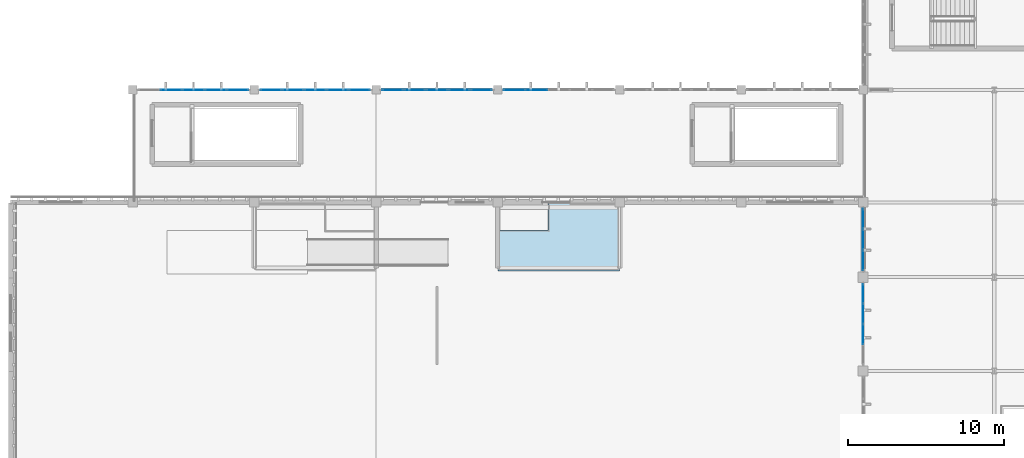
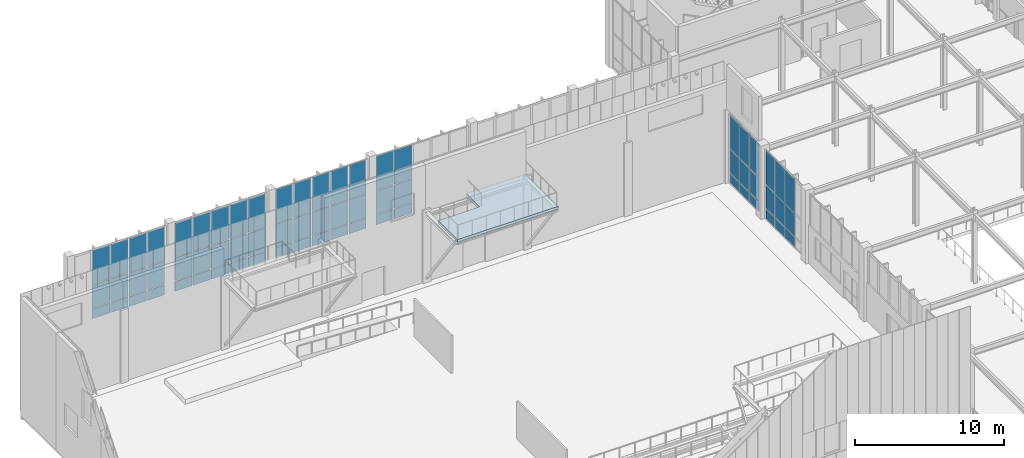
# One storey, part 60 of 105: 66 plates, 1 slab, 6 elements without a shape of their own.
"""IFC4 building model written with IfcOpenShell, lengths in metres."""

from ifc_helpers import new_model, si_unit, direction, frame, origin, origin_2d, place, context, subcontext, project, spatial, polyline, rectangle, outline, extrude, material, layer, layer_set, type_object, element, aggregate, save


model = new_model("IFC4")

# Units and contexts
model_context = context("Model", 3, precision=1e-05, world=origin(), true_north=direction((0.0, 1.0)))
body_context = subcontext(model_context, "Body", "Model", "MODEL_VIEW")
ifc_project = project(units=[si_unit("LENGTHUNIT", "METRE"), si_unit("AREAUNIT", "SQUARE_METRE"), si_unit("VOLUMEUNIT", "CUBIC_METRE"), si_unit("PLANEANGLEUNIT", "RADIAN"), si_unit("MASSUNIT", "GRAM", prefix="KILO")], contexts=[model_context])

# Site, building, storey
site_placement = place(None, origin())
site = spatial("IfcSite", under=ifc_project, at=site_placement, CompositionType="ELEMENT")
building_placement = place(site_placement, origin())
building = spatial("IfcBuilding", under=site, at=building_placement, Name="Tizgana Railside Sports Hall", CompositionType="ELEMENT")
storey_placement = place(building_placement, frame((0.0, 0.0, 6.0)))
storey = spatial("IfcBuildingStorey", under=building, at=storey_placement, Name="L01", CompositionType="ELEMENT", Elevation=6.0)

# Curtain wall, plates
ifc_material_1 = material(Name="Anodised aluminium and glass", Category="aluminium")
curtain_wall_type_1 = type_object("IfcCurtainWallType", Name="Unitised Curtain Wall Foyer 1300", PredefinedType="NOTDEFINED", material=ifc_material_1)
curtain_wall_1_placement = place(storey_placement, origin())
curtain_wall_1 = element("IfcCurtainWall", 1, at=curtain_wall_1_placement, inside=storey, type_object=curtain_wall_type_1, Name="L01 Curtain Wall CW-0009", PredefinedType="NOTDEFINED")
ifc_material_2 = material(Name="Double low-E laminated glass", Category="glass")
ifc_layer_1 = layer(ifc_material_2, 0.033935546875, Name="Double low-E laminated glass")
ifc_layer_set_1 = layer_set([ifc_layer_1], Name="Double low-E laminated glass")
plate_type_1 = type_object("IfcPlateType", Name="Acoustic Laminated Glazing Panel 34", PredefinedType="CURTAIN_PANEL", material=ifc_layer_set_1)
plate_1_placement = place(storey_placement, frame((10.27197265625, 80.39990234375, 0.06494140625), z_axis=(0.0, 0.0, 1.0), x_axis=(1.0, 0.0, 0.0)))
plate_1 = element("IfcPlate", 2, at=plate_1_placement, type_object=plate_type_1, Name="CW-02 panel 2.1", PredefinedType="CURTAIN_PANEL", context=body_context, shape_type="SweptSolid", body=[
    extrude(rectangle(XDim=1.363037109375, YDim=0.033935546875, at=origin_2d()), origin(), (0.0, 0.0, 1.0), 0.802490234375),
])
plate_2_placement = place(storey_placement, frame((10.27197265625, 80.39990234375, 0.9326171875), z_axis=(0.0, 0.0, 1.0), x_axis=(1.0, 0.0, 0.0)))
plate_2 = element("IfcPlate", 3, at=plate_2_placement, type_object=plate_type_1, Name="CW-02 panel 2.2", PredefinedType="CURTAIN_PANEL", context=body_context, shape_type="SweptSolid", body=[
    extrude(rectangle(XDim=1.363037109375, YDim=0.033935546875, at=origin_2d()), origin(), (0.0, 0.0, 1.0), 1.885009765625),
])
plate_3_placement = place(storey_placement, frame((10.27197265625, 80.39990234375, 2.882568359375), z_axis=(0.0, 0.0, 1.0), x_axis=(1.0, 0.0, 0.0)))
plate_3 = element("IfcPlate", 4, at=plate_3_placement, type_object=plate_type_1, Name="CW-02 panel 2.3", PredefinedType="CURTAIN_PANEL", context=body_context, shape_type="SweptSolid", body=[
    extrude(rectangle(XDim=1.363037109375, YDim=0.033935546875, at=origin_2d()), origin(), (0.0, 0.0, 1.0), 2.75244140625),
])
plate_4_placement = place(storey_placement, frame((11.699951171875, 80.39990234375, 0.06494140625), z_axis=(0.0, 0.0, 1.0), x_axis=(1.0, 0.0, 0.0)))
plate_4 = element("IfcPlate", 5, at=plate_4_placement, type_object=plate_type_1, Name="CW-02 panel 3.1", PredefinedType="CURTAIN_PANEL", context=body_context, shape_type="SweptSolid", body=[
    extrude(rectangle(XDim=1.363037109375, YDim=0.033935546875, at=origin_2d()), origin(), (0.0, 0.0, 1.0), 0.802490234375),
])
plate_5_placement = place(storey_placement, frame((11.699951171875, 80.39990234375, 0.9326171875), z_axis=(0.0, 0.0, 1.0), x_axis=(1.0, 0.0, 0.0)))
plate_5 = element("IfcPlate", 6, at=plate_5_placement, type_object=plate_type_1, Name="CW-02 panel 3.2", PredefinedType="CURTAIN_PANEL", context=body_context, shape_type="SweptSolid", body=[
    extrude(rectangle(XDim=1.363037109375, YDim=0.033935546875, at=origin_2d()), origin(), (0.0, 0.0, 1.0), 1.885009765625),
])
plate_6_placement = place(storey_placement, frame((11.699951171875, 80.39990234375, 2.882568359375), z_axis=(0.0, 0.0, 1.0), x_axis=(1.0, 0.0, 0.0)))
plate_6 = element("IfcPlate", 7, at=plate_6_placement, type_object=plate_type_1, Name="CW-02 panel 3.3", PredefinedType="CURTAIN_PANEL", context=body_context, shape_type="SweptSolid", body=[
    extrude(rectangle(XDim=1.363037109375, YDim=0.033935546875, at=origin_2d()), origin(), (0.0, 0.0, 1.0), 2.75244140625),
])
plate_7_placement = place(storey_placement, frame((13.1279296875, 80.39990234375, 0.06494140625), z_axis=(0.0, 0.0, 1.0), x_axis=(1.0, 0.0, 0.0)))
plate_7 = element("IfcPlate", 8, at=plate_7_placement, type_object=plate_type_1, Name="CW-02 panel 4.1", PredefinedType="CURTAIN_PANEL", context=body_context, shape_type="SweptSolid", body=[
    extrude(rectangle(XDim=1.363037109375, YDim=0.033935546875, at=origin_2d()), origin(), (0.0, 0.0, 1.0), 0.802490234375),
])
plate_8_placement = place(storey_placement, frame((13.1279296875, 80.39990234375, 0.9326171875), z_axis=(0.0, 0.0, 1.0), x_axis=(1.0, 0.0, 0.0)))
plate_8 = element("IfcPlate", 9, at=plate_8_placement, type_object=plate_type_1, Name="CW-02 panel 4.2", PredefinedType="CURTAIN_PANEL", context=body_context, shape_type="SweptSolid", body=[
    extrude(rectangle(XDim=1.363037109375, YDim=0.033935546875, at=origin_2d()), origin(), (0.0, 0.0, 1.0), 1.885009765625),
])
plate_9_placement = place(storey_placement, frame((13.1279296875, 80.39990234375, 2.882568359375), z_axis=(0.0, 0.0, 1.0), x_axis=(1.0, 0.0, 0.0)))
plate_9 = element("IfcPlate", 10, at=plate_9_placement, type_object=plate_type_1, Name="CW-02 panel 4.3", PredefinedType="CURTAIN_PANEL", context=body_context, shape_type="SweptSolid", body=[
    extrude(rectangle(XDim=1.363037109375, YDim=0.033935546875, at=origin_2d()), origin(), (0.0, 0.0, 1.0), 2.75244140625),
])
plate_10_placement = place(storey_placement, frame((14.539794921875, 80.39990234375, 0.06494140625), z_axis=(0.0, 0.0, 1.0), x_axis=(1.0, 0.0, 0.0)))
plate_10 = element("IfcPlate", 11, at=plate_10_placement, type_object=plate_type_1, Name="CW-02 panel 5.1", PredefinedType="CURTAIN_PANEL", context=body_context, shape_type="SweptSolid", body=[
    extrude(rectangle(XDim=1.33056640625, YDim=0.033935546875, at=origin_2d()), origin(), (0.0, 0.0, 1.0), 0.802490234375),
])
plate_11_placement = place(storey_placement, frame((14.539794921875, 80.39990234375, 0.9326171875), z_axis=(0.0, 0.0, 1.0), x_axis=(1.0, 0.0, 0.0)))
plate_11 = element("IfcPlate", 12, at=plate_11_placement, type_object=plate_type_1, Name="CW-02 panel 5.2", PredefinedType="CURTAIN_PANEL", context=body_context, shape_type="SweptSolid", body=[
    extrude(rectangle(XDim=1.33056640625, YDim=0.033935546875, at=origin_2d()), origin(), (0.0, 0.0, 1.0), 1.885009765625),
])
plate_12_placement = place(storey_placement, frame((14.539794921875, 80.39990234375, 2.882568359375), z_axis=(0.0, 0.0, 1.0), x_axis=(1.0, 0.0, 0.0)))
plate_12 = element("IfcPlate", 13, at=plate_12_placement, type_object=plate_type_1, Name="CW-02 panel 5.3", PredefinedType="CURTAIN_PANEL", context=body_context, shape_type="SweptSolid", body=[
    extrude(rectangle(XDim=1.33056640625, YDim=0.033935546875, at=origin_2d()), origin(), (0.0, 0.0, 1.0), 2.75244140625),
])
aggregate(curtain_wall_1, [plate_1, plate_2, plate_3, plate_4, plate_5, plate_6, plate_7, plate_8, plate_9, plate_10, plate_11, plate_12])

curtain_wall_type_2 = type_object("IfcCurtainWallType", Name="Unitised Curtain Wall Studio 1400", PredefinedType="NOTDEFINED", material=ifc_material_1)
curtain_wall_2_placement = place(storey_placement, origin())
curtain_wall_2 = element("IfcCurtainWall", 14, at=curtain_wall_2_placement, inside=storey, type_object=curtain_wall_type_2, Name="L01 Curtain Wall CW-0010", PredefinedType="NOTDEFINED")
ifc_layer_2 = layer(ifc_material_2, 0.0400390625, Name="Double low-E laminated glass")
ifc_layer_set_2 = layer_set([ifc_layer_2], Name="Double low-E laminated glass")
plate_type_2 = type_object("IfcPlateType", Name="High-Span Tempered Glazing Panel 40", PredefinedType="CURTAIN_PANEL", material=ifc_layer_set_2)
plate_13_placement = place(storey_placement, frame((16.66162109375, 80.39990234375, 0.070068359375), z_axis=(0.0, 0.0, 1.0), x_axis=(1.0, 0.0, 0.0)))
plate_13 = element("IfcPlate", 15, at=plate_13_placement, type_object=plate_type_2, Name="CW-03 panel 1.1", PredefinedType="CURTAIN_PANEL", context=body_context, shape_type="SweptSolid", body=[
    extrude(rectangle(XDim=1.322998046875, YDim=0.0400390625, at=origin_2d()), origin(), (0.0, 0.0, 1.0), 0.794921875),
])
plate_14_placement = place(storey_placement, frame((16.66162109375, 80.39990234375, 0.93505859375), z_axis=(0.0, 0.0, 1.0), x_axis=(1.0, 0.0, 0.0)))
plate_14 = element("IfcPlate", 16, at=plate_14_placement, type_object=plate_type_2, Name="CW-03 panel 1.2", PredefinedType="CURTAIN_PANEL", context=body_context, shape_type="SweptSolid", body=[
    extrude(rectangle(XDim=1.322998046875, YDim=0.0400390625, at=origin_2d()), origin(), (0.0, 0.0, 1.0), 1.8798828125),
])
plate_15_placement = place(storey_placement, frame((16.66162109375, 80.39990234375, 2.885009765625), z_axis=(0.0, 0.0, 1.0), x_axis=(1.0, 0.0, 0.0)))
plate_15 = element("IfcPlate", 17, at=plate_15_placement, type_object=plate_type_2, Name="CW-03 panel 1.3", PredefinedType="CURTAIN_PANEL", context=body_context, shape_type="SweptSolid", body=[
    extrude(rectangle(XDim=1.322998046875, YDim=0.0400390625, at=origin_2d()), origin(), (0.0, 0.0, 1.0), 2.7451171875),
])
plate_16_placement = place(storey_placement, frame((18.072021484375, 80.39990234375, 0.070068359375), z_axis=(0.0, 0.0, 1.0), x_axis=(1.0, 0.0, 0.0)))
plate_16 = element("IfcPlate", 18, at=plate_16_placement, type_object=plate_type_2, Name="CW-03 panel 2.1", PredefinedType="CURTAIN_PANEL", context=body_context, shape_type="SweptSolid", body=[
    extrude(rectangle(XDim=1.35791015625, YDim=0.0400390625, at=origin_2d()), origin(), (0.0, 0.0, 1.0), 0.794921875),
])
plate_17_placement = place(storey_placement, frame((18.072021484375, 80.39990234375, 0.93505859375), z_axis=(0.0, 0.0, 1.0), x_axis=(1.0, 0.0, 0.0)))
plate_17 = element("IfcPlate", 19, at=plate_17_placement, type_object=plate_type_2, Name="CW-03 panel 2.2", PredefinedType="CURTAIN_PANEL", context=body_context, shape_type="SweptSolid", body=[
    extrude(rectangle(XDim=1.35791015625, YDim=0.0400390625, at=origin_2d()), origin(), (0.0, 0.0, 1.0), 1.8798828125),
])
plate_18_placement = place(storey_placement, frame((18.072021484375, 80.39990234375, 2.885009765625), z_axis=(0.0, 0.0, 1.0), x_axis=(1.0, 0.0, 0.0)))
plate_18 = element("IfcPlate", 20, at=plate_18_placement, type_object=plate_type_2, Name="CW-03 panel 2.3", PredefinedType="CURTAIN_PANEL", context=body_context, shape_type="SweptSolid", body=[
    extrude(rectangle(XDim=1.35791015625, YDim=0.0400390625, at=origin_2d()), origin(), (0.0, 0.0, 1.0), 2.7451171875),
])
plate_19_placement = place(storey_placement, frame((19.5, 80.39990234375, 0.070068359375), z_axis=(0.0, 0.0, 1.0), x_axis=(1.0, 0.0, 0.0)))
plate_19 = element("IfcPlate", 21, at=plate_19_placement, type_object=plate_type_2, Name="CW-03 panel 3.1", PredefinedType="CURTAIN_PANEL", context=body_context, shape_type="SweptSolid", body=[
    extrude(rectangle(XDim=1.35791015625, YDim=0.0400390625, at=origin_2d()), origin(), (0.0, 0.0, 1.0), 0.794921875),
])
plate_20_placement = place(storey_placement, frame((19.5, 80.39990234375, 0.93505859375), z_axis=(0.0, 0.0, 1.0), x_axis=(1.0, 0.0, 0.0)))
plate_20 = element("IfcPlate", 22, at=plate_20_placement, type_object=plate_type_2, Name="CW-03 panel 3.2", PredefinedType="CURTAIN_PANEL", context=body_context, shape_type="SweptSolid", body=[
    extrude(rectangle(XDim=1.35791015625, YDim=0.0400390625, at=origin_2d()), origin(), (0.0, 0.0, 1.0), 1.8798828125),
])
plate_21_placement = place(storey_placement, frame((19.5, 80.39990234375, 2.885009765625), z_axis=(0.0, 0.0, 1.0), x_axis=(1.0, 0.0, 0.0)))
plate_21 = element("IfcPlate", 23, at=plate_21_placement, type_object=plate_type_2, Name="CW-03 panel 3.3", PredefinedType="CURTAIN_PANEL", context=body_context, shape_type="SweptSolid", body=[
    extrude(rectangle(XDim=1.35791015625, YDim=0.0400390625, at=origin_2d()), origin(), (0.0, 0.0, 1.0), 2.7451171875),
])
plate_22_placement = place(storey_placement, frame((20.927978515625, 80.39990234375, 0.070068359375), z_axis=(0.0, 0.0, 1.0), x_axis=(1.0, 0.0, 0.0)))
plate_22 = element("IfcPlate", 24, at=plate_22_placement, type_object=plate_type_2, Name="CW-03 panel 4.1", PredefinedType="CURTAIN_PANEL", context=body_context, shape_type="SweptSolid", body=[
    extrude(rectangle(XDim=1.35791015625, YDim=0.0400390625, at=origin_2d()), origin(), (0.0, 0.0, 1.0), 0.794921875),
])
plate_23_placement = place(storey_placement, frame((20.927978515625, 80.39990234375, 0.93505859375), z_axis=(0.0, 0.0, 1.0), x_axis=(1.0, 0.0, 0.0)))
plate_23 = element("IfcPlate", 25, at=plate_23_placement, type_object=plate_type_2, Name="CW-03 panel 4.2", PredefinedType="CURTAIN_PANEL", context=body_context, shape_type="SweptSolid", body=[
    extrude(rectangle(XDim=1.35791015625, YDim=0.0400390625, at=origin_2d()), origin(), (0.0, 0.0, 1.0), 1.8798828125),
])
plate_24_placement = place(storey_placement, frame((20.927978515625, 80.39990234375, 2.885009765625), z_axis=(0.0, 0.0, 1.0), x_axis=(1.0, 0.0, 0.0)))
plate_24 = element("IfcPlate", 26, at=plate_24_placement, type_object=plate_type_2, Name="CW-03 panel 4.3", PredefinedType="CURTAIN_PANEL", context=body_context, shape_type="SweptSolid", body=[
    extrude(rectangle(XDim=1.35791015625, YDim=0.0400390625, at=origin_2d()), origin(), (0.0, 0.0, 1.0), 2.7451171875),
])
plate_25_placement = place(storey_placement, frame((22.33837890625, 80.39990234375, 0.070068359375), z_axis=(0.0, 0.0, 1.0), x_axis=(1.0, 0.0, 0.0)))
plate_25 = element("IfcPlate", 27, at=plate_25_placement, type_object=plate_type_2, Name="CW-03 panel 5.1", PredefinedType="CURTAIN_PANEL", context=body_context, shape_type="SweptSolid", body=[
    extrude(rectangle(XDim=1.322998046875, YDim=0.0400390625, at=origin_2d()), origin(), (0.0, 0.0, 1.0), 0.794921875),
])
plate_26_placement = place(storey_placement, frame((22.33837890625, 80.39990234375, 0.93505859375), z_axis=(0.0, 0.0, 1.0), x_axis=(1.0, 0.0, 0.0)))
plate_26 = element("IfcPlate", 28, at=plate_26_placement, type_object=plate_type_2, Name="CW-03 panel 5.2", PredefinedType="CURTAIN_PANEL", context=body_context, shape_type="SweptSolid", body=[
    extrude(rectangle(XDim=1.322998046875, YDim=0.0400390625, at=origin_2d()), origin(), (0.0, 0.0, 1.0), 1.8798828125),
])
plate_27_placement = place(storey_placement, frame((22.33837890625, 80.39990234375, 2.885009765625), z_axis=(0.0, 0.0, 1.0), x_axis=(1.0, 0.0, 0.0)))
plate_27 = element("IfcPlate", 29, at=plate_27_placement, type_object=plate_type_2, Name="CW-03 panel 5.3", PredefinedType="CURTAIN_PANEL", context=body_context, shape_type="SweptSolid", body=[
    extrude(rectangle(XDim=1.322998046875, YDim=0.0400390625, at=origin_2d()), origin(), (0.0, 0.0, 1.0), 2.7451171875),
])
aggregate(curtain_wall_2, [plate_13, plate_14, plate_15, plate_16, plate_17, plate_18, plate_19, plate_20, plate_21, plate_22, plate_23, plate_24, plate_25, plate_26, plate_27])

curtain_wall_type_3 = type_object("IfcCurtainWallType", Name="Unitised Curtain Wall WestHall 1560", PredefinedType="NOTDEFINED", material=ifc_material_1)
curtain_wall_3_placement = place(storey_placement, origin())
curtain_wall_3 = element("IfcCurtainWall", 30, at=curtain_wall_3_placement, inside=storey, type_object=curtain_wall_type_3, Name="L01 Curtain Wall CW-0166", PredefinedType="NOTDEFINED")
plate_28_placement = place(storey_placement, frame((54.60009765625, 72.14990234375, 0.070068359375), z_axis=(0.0, 0.0, 1.0), x_axis=(0.0, -1.0, 0.0)))
plate_28 = element("IfcPlate", 31, at=plate_28_placement, type_object=plate_type_2, Name="CW-07 panel 1.1", PredefinedType="CURTAIN_PANEL", context=body_context, shape_type="SweptSolid", body=[
    extrude(rectangle(XDim=1.25, YDim=0.0400390625, at=origin_2d()), origin(), (0.0, 0.0, 1.0), 0.794921875),
])
plate_29_placement = place(storey_placement, frame((54.60009765625, 72.14990234375, 0.93505859375), z_axis=(0.0, 0.0, 1.0), x_axis=(0.0, -1.0, 0.0)))
plate_29 = element("IfcPlate", 32, at=plate_29_placement, type_object=plate_type_2, Name="CW-07 panel 1.2", PredefinedType="CURTAIN_PANEL", context=body_context, shape_type="SweptSolid", body=[
    extrude(rectangle(XDim=1.25, YDim=0.0400390625, at=origin_2d()), origin(), (0.0, 0.0, 1.0), 1.875),
])
plate_30_placement = place(storey_placement, frame((54.60009765625, 72.14990234375, 2.8798828125), z_axis=(0.0, 0.0, 1.0), x_axis=(0.0, -1.0, 0.0)))
plate_30 = element("IfcPlate", 33, at=plate_30_placement, type_object=plate_type_2, Name="CW-07 panel 1.3", PredefinedType="CURTAIN_PANEL", context=body_context, shape_type="SweptSolid", body=[
    extrude(rectangle(XDim=1.25, YDim=0.0400390625, at=origin_2d()), origin(), (0.0, 0.0, 1.0), 2.739990234375),
])
plate_31_placement = place(storey_placement, frame((54.60009765625, 70.8125, 0.070068359375), z_axis=(0.0, 0.0, 1.0), x_axis=(0.0, -1.0, 0.0)))
plate_31 = element("IfcPlate", 34, at=plate_31_placement, type_object=plate_type_2, Name="CW-07 panel 2.1", PredefinedType="CURTAIN_PANEL", context=body_context, shape_type="SweptSolid", body=[
    extrude(rectangle(XDim=1.284912109375, YDim=0.0400390625, at=origin_2d()), origin(), (0.0, 0.0, 1.0), 0.794921875),
])
plate_32_placement = place(storey_placement, frame((54.60009765625, 70.8125, 0.93505859375), z_axis=(0.0, 0.0, 1.0), x_axis=(0.0, -1.0, 0.0)))
plate_32 = element("IfcPlate", 35, at=plate_32_placement, type_object=plate_type_2, Name="CW-07 panel 2.2", PredefinedType="CURTAIN_PANEL", context=body_context, shape_type="SweptSolid", body=[
    extrude(rectangle(XDim=1.284912109375, YDim=0.0400390625, at=origin_2d()), origin(), (0.0, 0.0, 1.0), 1.875),
])
plate_33_placement = place(storey_placement, frame((54.60009765625, 70.8125, 2.8798828125), z_axis=(0.0, 0.0, 1.0), x_axis=(0.0, -1.0, 0.0)))
plate_33 = element("IfcPlate", 36, at=plate_33_placement, type_object=plate_type_2, Name="CW-07 panel 2.3", PredefinedType="CURTAIN_PANEL", context=body_context, shape_type="SweptSolid", body=[
    extrude(rectangle(XDim=1.284912109375, YDim=0.0400390625, at=origin_2d()), origin(), (0.0, 0.0, 1.0), 2.739990234375),
])
plate_34_placement = place(storey_placement, frame((54.60009765625, 69.47509765625, 0.070068359375), z_axis=(0.0, 0.0, 1.0), x_axis=(0.0, -1.0, 0.0)))
plate_34 = element("IfcPlate", 37, at=plate_34_placement, type_object=plate_type_2, Name="CW-07 panel 3.1", PredefinedType="CURTAIN_PANEL", context=body_context, shape_type="SweptSolid", body=[
    extrude(rectangle(XDim=1.25, YDim=0.0400390625, at=origin_2d()), origin(), (0.0, 0.0, 1.0), 0.794921875),
])
plate_35_placement = place(storey_placement, frame((54.60009765625, 69.47509765625, 0.93505859375), z_axis=(0.0, 0.0, 1.0), x_axis=(0.0, -1.0, 0.0)))
plate_35 = element("IfcPlate", 38, at=plate_35_placement, type_object=plate_type_2, Name="CW-07 panel 3.2", PredefinedType="CURTAIN_PANEL", context=body_context, shape_type="SweptSolid", body=[
    extrude(rectangle(XDim=1.25, YDim=0.0400390625, at=origin_2d()), origin(), (0.0, 0.0, 1.0), 1.875),
])
plate_36_placement = place(storey_placement, frame((54.60009765625, 69.47509765625, 2.8798828125), z_axis=(0.0, 0.0, 1.0), x_axis=(0.0, -1.0, 0.0)))
plate_36 = element("IfcPlate", 39, at=plate_36_placement, type_object=plate_type_2, Name="CW-07 panel 3.3", PredefinedType="CURTAIN_PANEL", context=body_context, shape_type="SweptSolid", body=[
    extrude(rectangle(XDim=1.25, YDim=0.0400390625, at=origin_2d()), origin(), (0.0, 0.0, 1.0), 2.739990234375),
])
aggregate(curtain_wall_3, [plate_28, plate_29, plate_30, plate_31, plate_32, plate_33, plate_34, plate_35, plate_36])

curtain_wall_type_4 = type_object("IfcCurtainWallType", Name="Unitised Curtain Wall Climbing 1600", PredefinedType="NOTDEFINED", material=ifc_material_1)
curtain_wall_4_placement = place(storey_placement, origin())
curtain_wall_4 = element("IfcCurtainWall", 40, at=curtain_wall_4_placement, inside=storey, type_object=curtain_wall_type_4, Name="L01 Curtain Wall CW-0011", PredefinedType="NOTDEFINED")
ifc_layer_3 = layer(ifc_material_2, 0.031982421875, Name="Double low-E laminated glass")
ifc_layer_set_3 = layer_set([ifc_layer_3], Name="Double low-E laminated glass")
plate_type_3 = type_object("IfcPlateType", Name="North-Light Clerestory Glazing Panel 32", PredefinedType="CURTAIN_PANEL", material=ifc_layer_set_3)
plate_37_placement = place(storey_placement, frame((24.462646484375, 80.39990234375, 0.05517578125), z_axis=(0.0, 0.0, 1.0), x_axis=(1.0, 0.0, 0.0)))
plate_37 = element("IfcPlate", 41, at=plate_37_placement, type_object=plate_type_3, Name="CW-04 panel 1.1", PredefinedType="CURTAIN_PANEL", context=body_context, shape_type="SweptSolid", body=[
    extrude(rectangle(XDim=1.3154296875, YDim=0.031982421875, at=origin_2d()), origin(), (0.0, 0.0, 1.0), 0.8173828125),
])
plate_38_placement = place(storey_placement, frame((24.462646484375, 80.39990234375, 0.927490234375), z_axis=(0.0, 0.0, 1.0), x_axis=(1.0, 0.0, 0.0)))
plate_38 = element("IfcPlate", 42, at=plate_38_placement, type_object=plate_type_3, Name="CW-04 panel 1.2", PredefinedType="CURTAIN_PANEL", context=body_context, shape_type="SweptSolid", body=[
    extrude(rectangle(XDim=1.3154296875, YDim=0.031982421875, at=origin_2d()), origin(), (0.0, 0.0, 1.0), 1.89501953125),
])
plate_39_placement = place(storey_placement, frame((24.462646484375, 80.39990234375, 2.87744140625), z_axis=(0.0, 0.0, 1.0), x_axis=(1.0, 0.0, 0.0)))
plate_39 = element("IfcPlate", 43, at=plate_39_placement, type_object=plate_type_3, Name="CW-04 panel 1.3", PredefinedType="CURTAIN_PANEL", context=body_context, shape_type="SweptSolid", body=[
    extrude(rectangle(XDim=1.3154296875, YDim=0.031982421875, at=origin_2d()), origin(), (0.0, 0.0, 1.0), 2.767578125),
])
plate_40_placement = place(storey_placement, frame((25.8720703125, 80.39990234375, 0.05517578125), z_axis=(0.0, 0.0, 1.0), x_axis=(1.0, 0.0, 0.0)))
plate_40 = element("IfcPlate", 44, at=plate_40_placement, type_object=plate_type_3, Name="CW-04 panel 2.1", PredefinedType="CURTAIN_PANEL", context=body_context, shape_type="SweptSolid", body=[
    extrude(rectangle(XDim=1.35302734375, YDim=0.031982421875, at=origin_2d()), origin(), (0.0, 0.0, 1.0), 0.8173828125),
])
plate_41_placement = place(storey_placement, frame((25.8720703125, 80.39990234375, 0.927490234375), z_axis=(0.0, 0.0, 1.0), x_axis=(1.0, 0.0, 0.0)))
plate_41 = element("IfcPlate", 45, at=plate_41_placement, type_object=plate_type_3, Name="CW-04 panel 2.2", PredefinedType="CURTAIN_PANEL", context=body_context, shape_type="SweptSolid", body=[
    extrude(rectangle(XDim=1.35302734375, YDim=0.031982421875, at=origin_2d()), origin(), (0.0, 0.0, 1.0), 1.89501953125),
])
plate_42_placement = place(storey_placement, frame((25.8720703125, 80.39990234375, 2.87744140625), z_axis=(0.0, 0.0, 1.0), x_axis=(1.0, 0.0, 0.0)))
plate_42 = element("IfcPlate", 46, at=plate_42_placement, type_object=plate_type_3, Name="CW-04 panel 2.3", PredefinedType="CURTAIN_PANEL", context=body_context, shape_type="SweptSolid", body=[
    extrude(rectangle(XDim=1.35302734375, YDim=0.031982421875, at=origin_2d()), origin(), (0.0, 0.0, 1.0), 2.767578125),
])
plate_43_placement = place(storey_placement, frame((27.300048828125, 80.39990234375, 0.05517578125), z_axis=(0.0, 0.0, 1.0), x_axis=(1.0, 0.0, 0.0)))
plate_43 = element("IfcPlate", 47, at=plate_43_placement, type_object=plate_type_3, Name="CW-04 panel 3.1", PredefinedType="CURTAIN_PANEL", context=body_context, shape_type="SweptSolid", body=[
    extrude(rectangle(XDim=1.35302734375, YDim=0.031982421875, at=origin_2d()), origin(), (0.0, 0.0, 1.0), 0.8173828125),
])
plate_44_placement = place(storey_placement, frame((27.300048828125, 80.39990234375, 0.927490234375), z_axis=(0.0, 0.0, 1.0), x_axis=(1.0, 0.0, 0.0)))
plate_44 = element("IfcPlate", 48, at=plate_44_placement, type_object=plate_type_3, Name="CW-04 panel 3.2", PredefinedType="CURTAIN_PANEL", context=body_context, shape_type="SweptSolid", body=[
    extrude(rectangle(XDim=1.35302734375, YDim=0.031982421875, at=origin_2d()), origin(), (0.0, 0.0, 1.0), 1.89501953125),
])
plate_45_placement = place(storey_placement, frame((27.300048828125, 80.39990234375, 2.87744140625), z_axis=(0.0, 0.0, 1.0), x_axis=(1.0, 0.0, 0.0)))
plate_45 = element("IfcPlate", 49, at=plate_45_placement, type_object=plate_type_3, Name="CW-04 panel 3.3", PredefinedType="CURTAIN_PANEL", context=body_context, shape_type="SweptSolid", body=[
    extrude(rectangle(XDim=1.35302734375, YDim=0.031982421875, at=origin_2d()), origin(), (0.0, 0.0, 1.0), 2.767578125),
])
plate_46_placement = place(storey_placement, frame((28.72802734375, 80.39990234375, 0.05517578125), z_axis=(0.0, 0.0, 1.0), x_axis=(1.0, 0.0, 0.0)))
plate_46 = element("IfcPlate", 50, at=plate_46_placement, type_object=plate_type_3, Name="CW-04 panel 4.1", PredefinedType="CURTAIN_PANEL", context=body_context, shape_type="SweptSolid", body=[
    extrude(rectangle(XDim=1.35302734375, YDim=0.031982421875, at=origin_2d()), origin(), (0.0, 0.0, 1.0), 0.8173828125),
])
plate_47_placement = place(storey_placement, frame((28.72802734375, 80.39990234375, 0.927490234375), z_axis=(0.0, 0.0, 1.0), x_axis=(1.0, 0.0, 0.0)))
plate_47 = element("IfcPlate", 51, at=plate_47_placement, type_object=plate_type_3, Name="CW-04 panel 4.2", PredefinedType="CURTAIN_PANEL", context=body_context, shape_type="SweptSolid", body=[
    extrude(rectangle(XDim=1.35302734375, YDim=0.031982421875, at=origin_2d()), origin(), (0.0, 0.0, 1.0), 1.89501953125),
])
plate_48_placement = place(storey_placement, frame((28.72802734375, 80.39990234375, 2.87744140625), z_axis=(0.0, 0.0, 1.0), x_axis=(1.0, 0.0, 0.0)))
plate_48 = element("IfcPlate", 52, at=plate_48_placement, type_object=plate_type_3, Name="CW-04 panel 4.3", PredefinedType="CURTAIN_PANEL", context=body_context, shape_type="SweptSolid", body=[
    extrude(rectangle(XDim=1.35302734375, YDim=0.031982421875, at=origin_2d()), origin(), (0.0, 0.0, 1.0), 2.767578125),
])
plate_49_placement = place(storey_placement, frame((30.13720703125, 80.39990234375, 0.05517578125), z_axis=(0.0, 0.0, 1.0), x_axis=(1.0, 0.0, 0.0)))
plate_49 = element("IfcPlate", 53, at=plate_49_placement, type_object=plate_type_3, Name="CW-04 panel 5.1", PredefinedType="CURTAIN_PANEL", context=body_context, shape_type="SweptSolid", body=[
    extrude(rectangle(XDim=1.3154296875, YDim=0.031982421875, at=origin_2d()), origin(), (0.0, 0.0, 1.0), 0.8173828125),
])
plate_50_placement = place(storey_placement, frame((30.13720703125, 80.39990234375, 0.927490234375), z_axis=(0.0, 0.0, 1.0), x_axis=(1.0, 0.0, 0.0)))
plate_50 = element("IfcPlate", 54, at=plate_50_placement, type_object=plate_type_3, Name="CW-04 panel 5.2", PredefinedType="CURTAIN_PANEL", context=body_context, shape_type="SweptSolid", body=[
    extrude(rectangle(XDim=1.3154296875, YDim=0.031982421875, at=origin_2d()), origin(), (0.0, 0.0, 1.0), 1.89501953125),
])
plate_51_placement = place(storey_placement, frame((30.13720703125, 80.39990234375, 2.87744140625), z_axis=(0.0, 0.0, 1.0), x_axis=(1.0, 0.0, 0.0)))
plate_51 = element("IfcPlate", 55, at=plate_51_placement, type_object=plate_type_3, Name="CW-04 panel 5.3", PredefinedType="CURTAIN_PANEL", context=body_context, shape_type="SweptSolid", body=[
    extrude(rectangle(XDim=1.3154296875, YDim=0.031982421875, at=origin_2d()), origin(), (0.0, 0.0, 1.0), 2.767578125),
])
aggregate(curtain_wall_4, [plate_37, plate_38, plate_39, plate_40, plate_41, plate_42, plate_43, plate_44, plate_45, plate_46, plate_47, plate_48, plate_49, plate_50, plate_51])

curtain_wall_type_5 = type_object("IfcCurtainWallType", Name="Unitised Curtain Wall Clinic 1200", PredefinedType="NOTDEFINED", material=ifc_material_1)
curtain_wall_5_placement = place(storey_placement, origin())
curtain_wall_5 = element("IfcCurtainWall", 56, at=curtain_wall_5_placement, inside=storey, type_object=curtain_wall_type_5, Name="L01 Curtain Wall CW-0012", PredefinedType="NOTDEFINED")
ifc_layer_4 = layer(ifc_material_2, 0.028076171875, Name="Double low-E laminated glass")
ifc_layer_set_4 = layer_set([ifc_layer_4], Name="Double low-E laminated glass")
plate_type_4 = type_object("IfcPlateType", Name="Solar Low-E Glazing Panel 28", PredefinedType="CURTAIN_PANEL", material=ifc_layer_set_4)
plate_52_placement = place(storey_placement, frame((32.259033203125, 80.39990234375, 0.06005859375), z_axis=(0.0, 0.0, 1.0), x_axis=(1.0, 0.0, 0.0)))
plate_52 = element("IfcPlate", 57, at=plate_52_placement, type_object=plate_type_4, Name="CW-05 panel 1.1", PredefinedType="CURTAIN_PANEL", context=body_context, shape_type="SweptSolid", body=[
    extrude(rectangle(XDim=1.337890625, YDim=0.028076171875, at=origin_2d()), origin(), (0.0, 0.0, 1.0), 0.81005859375),
])
plate_53_placement = place(storey_placement, frame((32.259033203125, 80.39990234375, 0.93017578125), z_axis=(0.0, 0.0, 1.0), x_axis=(1.0, 0.0, 0.0)))
plate_53 = element("IfcPlate", 58, at=plate_53_placement, type_object=plate_type_4, Name="CW-05 panel 1.2", PredefinedType="CURTAIN_PANEL", context=body_context, shape_type="SweptSolid", body=[
    extrude(rectangle(XDim=1.337890625, YDim=0.028076171875, at=origin_2d()), origin(), (0.0, 0.0, 1.0), 1.889892578125),
])
plate_54_placement = place(storey_placement, frame((32.259033203125, 80.39990234375, 2.8798828125), z_axis=(0.0, 0.0, 1.0), x_axis=(1.0, 0.0, 0.0)))
plate_54 = element("IfcPlate", 59, at=plate_54_placement, type_object=plate_type_4, Name="CW-05 panel 1.3", PredefinedType="CURTAIN_PANEL", context=body_context, shape_type="SweptSolid", body=[
    extrude(rectangle(XDim=1.337890625, YDim=0.028076171875, at=origin_2d()), origin(), (0.0, 0.0, 1.0), 2.760009765625),
])
plate_55_placement = place(storey_placement, frame((33.672119140625, 80.39990234375, 0.06005859375), z_axis=(0.0, 0.0, 1.0), x_axis=(1.0, 0.0, 0.0)))
plate_55 = element("IfcPlate", 60, at=plate_55_placement, type_object=plate_type_4, Name="CW-05 panel 2.1", PredefinedType="CURTAIN_PANEL", context=body_context, shape_type="SweptSolid", body=[
    extrude(rectangle(XDim=1.367919921875, YDim=0.028076171875, at=origin_2d()), origin(), (0.0, 0.0, 1.0), 0.81005859375),
])
plate_56_placement = place(storey_placement, frame((33.672119140625, 80.39990234375, 0.93017578125), z_axis=(0.0, 0.0, 1.0), x_axis=(1.0, 0.0, 0.0)))
plate_56 = element("IfcPlate", 61, at=plate_56_placement, type_object=plate_type_4, Name="CW-05 panel 2.2", PredefinedType="CURTAIN_PANEL", context=body_context, shape_type="SweptSolid", body=[
    extrude(rectangle(XDim=1.367919921875, YDim=0.028076171875, at=origin_2d()), origin(), (0.0, 0.0, 1.0), 1.889892578125),
])
plate_57_placement = place(storey_placement, frame((33.672119140625, 80.39990234375, 2.8798828125), z_axis=(0.0, 0.0, 1.0), x_axis=(1.0, 0.0, 0.0)))
plate_57 = element("IfcPlate", 62, at=plate_57_placement, type_object=plate_type_4, Name="CW-05 panel 2.3", PredefinedType="CURTAIN_PANEL", context=body_context, shape_type="SweptSolid", body=[
    extrude(rectangle(XDim=1.367919921875, YDim=0.028076171875, at=origin_2d()), origin(), (0.0, 0.0, 1.0), 2.760009765625),
])
aggregate(curtain_wall_5, [plate_52, plate_53, plate_54, plate_55, plate_56, plate_57])

curtain_wall_6_placement = place(storey_placement, origin())
curtain_wall_6 = element("IfcCurtainWall", 63, at=curtain_wall_6_placement, inside=storey, type_object=curtain_wall_type_5, Name="L01 Curtain Wall CW-0164", PredefinedType="NOTDEFINED")
plate_58_placement = place(storey_placement, frame((54.60009765625, 67.35009765625, 0.06005859375), z_axis=(0.0, 0.0, 1.0), x_axis=(0.0, -1.0, 0.0)))
plate_58 = element("IfcPlate", 64, at=plate_58_placement, type_object=plate_type_4, Name="CW-05 panel 1.1", PredefinedType="CURTAIN_PANEL", context=body_context, shape_type="SweptSolid", body=[
    extrude(rectangle(XDim=1.219970703125, YDim=0.028076171875, at=origin_2d()), origin(), (0.0, 0.0, 1.0), 0.81005859375),
])
plate_59_placement = place(storey_placement, frame((54.60009765625, 67.35009765625, 0.93017578125), z_axis=(0.0, 0.0, 1.0), x_axis=(0.0, -1.0, 0.0)))
plate_59 = element("IfcPlate", 65, at=plate_59_placement, type_object=plate_type_4, Name="CW-05 panel 1.2", PredefinedType="CURTAIN_PANEL", context=body_context, shape_type="SweptSolid", body=[
    extrude(rectangle(XDim=1.219970703125, YDim=0.028076171875, at=origin_2d()), origin(), (0.0, 0.0, 1.0), 1.885009765625),
])
plate_60_placement = place(storey_placement, frame((54.60009765625, 67.35009765625, 2.875), z_axis=(0.0, 0.0, 1.0), x_axis=(0.0, -1.0, 0.0)))
plate_60 = element("IfcPlate", 66, at=plate_60_placement, type_object=plate_type_4, Name="CW-05 panel 1.3", PredefinedType="CURTAIN_PANEL", context=body_context, shape_type="SweptSolid", body=[
    extrude(rectangle(XDim=1.219970703125, YDim=0.028076171875, at=origin_2d()), origin(), (0.0, 0.0, 1.0), 2.7548828125),
])
plate_61_placement = place(storey_placement, frame((54.60009765625, 66.054931640625, 0.06005859375), z_axis=(0.0, 0.0, 1.0), x_axis=(0.0, -1.0, 0.0)))
plate_61 = element("IfcPlate", 67, at=plate_61_placement, type_object=plate_type_4, Name="CW-05 panel 2.1", PredefinedType="CURTAIN_PANEL", context=body_context, shape_type="SweptSolid", body=[
    extrude(rectangle(XDim=1.25, YDim=0.028076171875, at=origin_2d()), origin(), (0.0, 0.0, 1.0), 0.81005859375),
])
plate_62_placement = place(storey_placement, frame((54.60009765625, 66.054931640625, 0.93017578125), z_axis=(0.0, 0.0, 1.0), x_axis=(0.0, -1.0, 0.0)))
plate_62 = element("IfcPlate", 68, at=plate_62_placement, type_object=plate_type_4, Name="CW-05 panel 2.2", PredefinedType="CURTAIN_PANEL", context=body_context, shape_type="SweptSolid", body=[
    extrude(rectangle(XDim=1.25, YDim=0.028076171875, at=origin_2d()), origin(), (0.0, 0.0, 1.0), 1.885009765625),
])
plate_63_placement = place(storey_placement, frame((54.60009765625, 66.054931640625, 2.875), z_axis=(0.0, 0.0, 1.0), x_axis=(0.0, -1.0, 0.0)))
plate_63 = element("IfcPlate", 69, at=plate_63_placement, type_object=plate_type_4, Name="CW-05 panel 2.3", PredefinedType="CURTAIN_PANEL", context=body_context, shape_type="SweptSolid", body=[
    extrude(rectangle(XDim=1.25, YDim=0.028076171875, at=origin_2d()), origin(), (0.0, 0.0, 1.0), 2.7548828125),
])
plate_64_placement = place(storey_placement, frame((54.60009765625, 64.7451171875, 0.06005859375), z_axis=(0.0, 0.0, 1.0), x_axis=(0.0, -1.0, 0.0)))
plate_64 = element("IfcPlate", 70, at=plate_64_placement, type_object=plate_type_4, Name="CW-05 panel 3.1", PredefinedType="CURTAIN_PANEL", context=body_context, shape_type="SweptSolid", body=[
    extrude(rectangle(XDim=1.25, YDim=0.028076171875, at=origin_2d()), origin(), (0.0, 0.0, 1.0), 0.81005859375),
])
plate_65_placement = place(storey_placement, frame((54.60009765625, 64.7451171875, 0.93017578125), z_axis=(0.0, 0.0, 1.0), x_axis=(0.0, -1.0, 0.0)))
plate_65 = element("IfcPlate", 71, at=plate_65_placement, type_object=plate_type_4, Name="CW-05 panel 3.2", PredefinedType="CURTAIN_PANEL", context=body_context, shape_type="SweptSolid", body=[
    extrude(rectangle(XDim=1.25, YDim=0.028076171875, at=origin_2d()), origin(), (0.0, 0.0, 1.0), 1.885009765625),
])
plate_66_placement = place(storey_placement, frame((54.60009765625, 64.7451171875, 2.875), z_axis=(0.0, 0.0, 1.0), x_axis=(0.0, -1.0, 0.0)))
plate_66 = element("IfcPlate", 72, at=plate_66_placement, type_object=plate_type_4, Name="CW-05 panel 3.3", PredefinedType="CURTAIN_PANEL", context=body_context, shape_type="SweptSolid", body=[
    extrude(rectangle(XDim=1.25, YDim=0.028076171875, at=origin_2d()), origin(), (0.0, 0.0, 1.0), 2.7548828125),
])
aggregate(curtain_wall_6, [plate_58, plate_59, plate_60, plate_61, plate_62, plate_63, plate_64, plate_65, plate_66])

# Slab
ifc_material_3 = material(Name="Concrete C35/45", Category="concrete")
ifc_layer_5 = layer(ifc_material_3, 0.22998046875, Name="Concrete C35/45")
ifc_layer_set_5 = layer_set([ifc_layer_5], Name="Concrete C35/45")
slab_type = type_object("IfcSlabType", Name="Suspended Gallery Floor Slab 230", PredefinedType="FLOOR", material=ifc_layer_set_5)
slab_placement = place(storey_placement, frame((0.0, 0.0, 5.77001953125)))
element("IfcSlab", 73, at=slab_placement, inside=storey, type_object=slab_type, Name="L01 V1 Catwalk NE SLB-0118", PredefinedType="FLOOR", context=body_context, shape_type="SweptSolid", body=[
    extrude(outline(polyline([(31.199951171875, 68.800048828125), (39.0, 68.800048828125), (39.0, 73.199951171875), (34.39990234375, 73.199951171875), (34.39990234375, 71.39990234375), (31.199951171875, 71.39990234375), (31.199951171875, 68.800048828125)])), origin(), (0.0, 0.0, 1.0), 0.22998046875),
])

save(model, "model.ifc")
